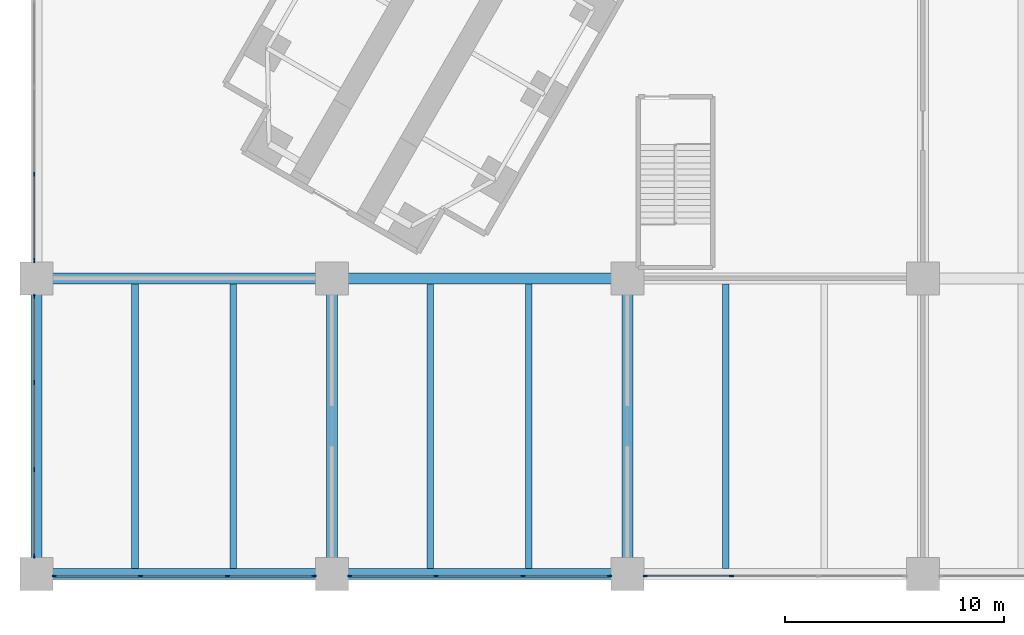
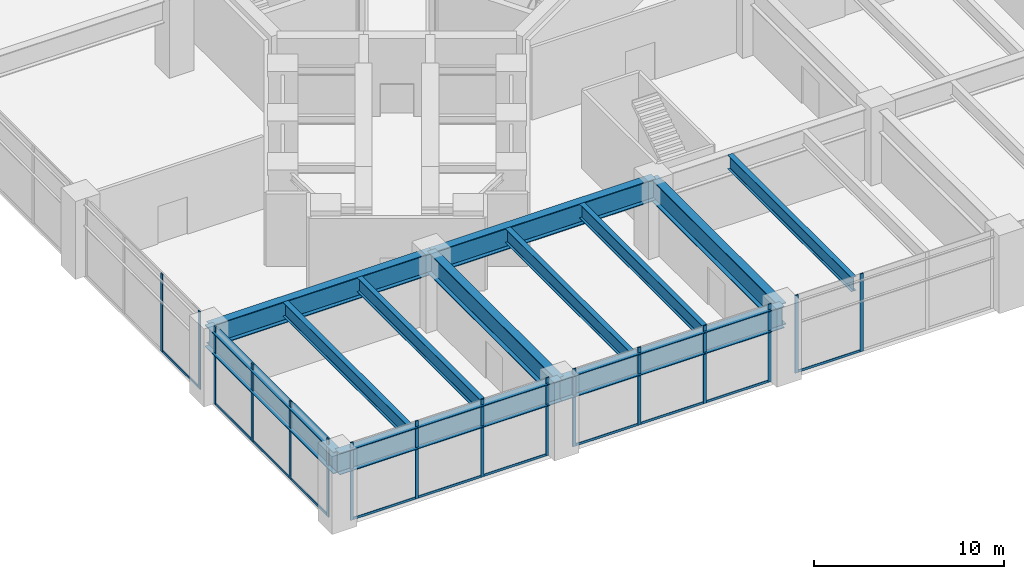
# One storey, part 2 of 31: 27 members, 12 beams, 5 elements without a shape of their own.
"""IFC4 building model written with IfcOpenShell, lengths in metres."""

from ifc_helpers import new_model, si_unit, direction, frame, origin, origin_2d, place, context, subcontext, project, spatial, rectangle, i_section, extrude, material, material_profile, profile_set, type_object, element, aggregate, save


model = new_model("IFC4")

# Units and contexts
model_context = context("Model", 3, precision=1e-05, world=origin(), true_north=direction((0.0, 1.0)))
body_context = subcontext(model_context, "Body", "Model", "MODEL_VIEW")
ifc_project = project(units=[si_unit("LENGTHUNIT", "METRE"), si_unit("AREAUNIT", "SQUARE_METRE"), si_unit("VOLUMEUNIT", "CUBIC_METRE"), si_unit("PLANEANGLEUNIT", "RADIAN"), si_unit("MASSUNIT", "GRAM", prefix="KILO")], contexts=[model_context])

# Site, building, storey
site_placement = place(None, origin())
site = spatial("IfcSite", under=ifc_project, at=site_placement, CompositionType="ELEMENT")
building_placement = place(site_placement, origin())
building = spatial("IfcBuilding", under=site, at=building_placement, Name="Upepo Twin Towers", CompositionType="ELEMENT")
storey_placement = place(building_placement, frame((0.0, 0.0, 15.5)))
storey = spatial("IfcBuildingStorey", under=building, at=storey_placement, Name="L03", CompositionType="ELEMENT", Elevation=15.5)

# Beams
ifc_material_1 = material(Name="Steel S355", Category="steel")
ifc_material_profile_1 = material_profile(ifc_material_1, i_section(OverallWidth=0.5, OverallDepth=1.39990234375, WebThickness=0.02490234375, FlangeThickness=0.050048828125, FilletRadius=0.008056640625, at=origin_2d()), Name="PG 1400x500x25x50")
ifc_profile_set_1 = profile_set([ifc_material_profile_1], Name="Steel S355")
beam_type_1 = type_object("IfcBeamType", Name="Beam PG 1400x500x25x50", PredefinedType="BEAM", material=ifc_profile_set_1)
for number, where, z_axis, x_axis, name in (
    (1, (-27.0, -40.5, 3.949951171875), (1.0, 0.0, 0.0), (0.0, 1.0, 0.0), "Podium girder A/1-2"),
    (2, (-13.5, -40.5, 3.949951171875), (1.0, 0.0, 0.0), (0.0, 1.0, 0.0), "Podium girder A/2-3"),
    (3, (-27.0, -27.0, 3.949951171875), (1.0, 0.0, 0.0), (0.0, 1.0, 0.0), "Podium girder B/1-2"),
    (4, (-13.5, -27.0, 3.949951171875), (1.0, 0.0, 0.0), (0.0, 1.0, 0.0), "Podium girder B/2-3"),
    (5, (-27.0, -40.5, 3.949951171875), (0.0, 1.0, 0.0), (-1.0, 0.0, 0.0), "Podium girder 1/A-B"),
    (6, (-13.5, -40.5, 3.949951171875), (0.0, 1.0, 0.0), (-1.0, 0.0, 0.0), "Podium girder 2/A-B"),
    (7, (0.0, -40.5, 3.949951171875), (0.0, 1.0, 0.0), (-1.0, 0.0, 0.0), "Podium girder 3/A-B"),
):
    element("IfcBeam", number, at=place(storey_placement, frame(where, z_axis=z_axis, x_axis=x_axis)), inside=storey, type_object=beam_type_1, Name=name, PredefinedType="BEAM", context=body_context, shape_type="SweptSolid", body=[
        extrude(i_section(OverallWidth=0.5, OverallDepth=1.39990234375, WebThickness=0.02490234375, FlangeThickness=0.050048828125, FilletRadius=0.008056640625, at=origin_2d()), origin(), (0.0, 0.0, 1.0), 13.5),
    ])

# Curtain wall, members
ifc_material_2 = material(Name="Aluminium and clear glass", Category="aluminium")
curtain_wall_type = type_object("IfcCurtainWallType", Name="Podium curtain wall PW1", PredefinedType="NOTDEFINED", material=ifc_material_2)
curtain_wall_1_placement = place(storey_placement, origin())
curtain_wall_1 = element("IfcCurtainWall", 8, at=curtain_wall_1_placement, inside=storey, type_object=curtain_wall_type, Name="Podium L03 curtain wall S1", PredefinedType="NOTDEFINED")
ifc_material_3 = material(Name="Aluminium mullion", Category="aluminium")
ifc_material_profile_2 = material_profile(ifc_material_3, rectangle(XDim=0.06494140625, YDim=0.199951171875, at=origin_2d()), Name="MULLION 65x200 PODIUM")
ifc_profile_set_2 = profile_set([ifc_material_profile_2], Name="Aluminium mullion")
member_type_1 = type_object("IfcMemberType", Name="Mullion 65x200 PW1", PredefinedType="MULLION", material=ifc_profile_set_2)
member_1_placement = place(storey_placement, frame((-26.1826171875, -40.60009765625, 0.0), z_axis=(0.0, 0.0, 1.0), x_axis=(0.0, 1.0, 0.0)))
member_1 = element("IfcMember", 9, at=member_1_placement, type_object=member_type_1, Name="Podium L03 curtain wall S1 mullion 1", PredefinedType="MULLION", context=body_context, shape_type="SweptSolid", body=[
    extrude(rectangle(XDim=0.06494140625, YDim=0.199951171875, at=origin_2d()), origin(), (0.0, 0.0, 1.0), 5.0),
])
member_2_placement = place(storey_placement, frame((-22.23828125, -40.60009765625, 0.0), z_axis=(0.0, 0.0, 1.0), x_axis=(0.0, 1.0, 0.0)))
member_2 = element("IfcMember", 10, at=member_2_placement, type_object=member_type_1, Name="Podium L03 curtain wall S1 mullion 2", PredefinedType="MULLION", context=body_context, shape_type="SweptSolid", body=[
    extrude(rectangle(XDim=0.06494140625, YDim=0.199951171875, at=origin_2d()), origin(), (0.0, 0.0, 1.0), 5.0),
])
member_3_placement = place(storey_placement, frame((-18.26171875, -40.60009765625, 0.0), z_axis=(0.0, 0.0, 1.0), x_axis=(0.0, 1.0, 0.0)))
member_3 = element("IfcMember", 11, at=member_3_placement, type_object=member_type_1, Name="Podium L03 curtain wall S1 mullion 3", PredefinedType="MULLION", context=body_context, shape_type="SweptSolid", body=[
    extrude(rectangle(XDim=0.06494140625, YDim=0.199951171875, at=origin_2d()), origin(), (0.0, 0.0, 1.0), 5.0),
])
member_4_placement = place(storey_placement, frame((-14.3173828125, -40.60009765625, 0.0), z_axis=(0.0, 0.0, 1.0), x_axis=(0.0, 1.0, 0.0)))
member_4 = element("IfcMember", 12, at=member_4_placement, type_object=member_type_1, Name="Podium L03 curtain wall S1 mullion 4", PredefinedType="MULLION", context=body_context, shape_type="SweptSolid", body=[
    extrude(rectangle(XDim=0.06494140625, YDim=0.199951171875, at=origin_2d()), origin(), (0.0, 0.0, 1.0), 5.0),
])

curtain_wall_2_placement = place(storey_placement, origin())
curtain_wall_2 = element("IfcCurtainWall", 13, at=curtain_wall_2_placement, inside=storey, type_object=curtain_wall_type, Name="Podium L03 curtain wall S2", PredefinedType="NOTDEFINED")
member_5_placement = place(storey_placement, frame((-12.6826171875, -40.60009765625, 0.0), z_axis=(0.0, 0.0, 1.0), x_axis=(0.0, 1.0, 0.0)))
member_5 = element("IfcMember", 14, at=member_5_placement, type_object=member_type_1, Name="Podium L03 curtain wall S2 mullion 1", PredefinedType="MULLION", context=body_context, shape_type="SweptSolid", body=[
    extrude(rectangle(XDim=0.06494140625, YDim=0.199951171875, at=origin_2d()), origin(), (0.0, 0.0, 1.0), 5.0),
])
member_6_placement = place(storey_placement, frame((-8.73828125, -40.60009765625, 0.0), z_axis=(0.0, 0.0, 1.0), x_axis=(0.0, 1.0, 0.0)))
member_6 = element("IfcMember", 15, at=member_6_placement, type_object=member_type_1, Name="Podium L03 curtain wall S2 mullion 2", PredefinedType="MULLION", context=body_context, shape_type="SweptSolid", body=[
    extrude(rectangle(XDim=0.06494140625, YDim=0.199951171875, at=origin_2d()), origin(), (0.0, 0.0, 1.0), 5.0),
])
member_7_placement = place(storey_placement, frame((-4.76171875, -40.60009765625, 0.0), z_axis=(0.0, 0.0, 1.0), x_axis=(0.0, 1.0, 0.0)))
member_7 = element("IfcMember", 16, at=member_7_placement, type_object=member_type_1, Name="Podium L03 curtain wall S2 mullion 3", PredefinedType="MULLION", context=body_context, shape_type="SweptSolid", body=[
    extrude(rectangle(XDim=0.06494140625, YDim=0.199951171875, at=origin_2d()), origin(), (0.0, 0.0, 1.0), 5.0),
])
member_8_placement = place(storey_placement, frame((-0.8173828125, -40.60009765625, 0.0), z_axis=(0.0, 0.0, 1.0), x_axis=(0.0, 1.0, 0.0)))
member_8 = element("IfcMember", 17, at=member_8_placement, type_object=member_type_1, Name="Podium L03 curtain wall S2 mullion 4", PredefinedType="MULLION", context=body_context, shape_type="SweptSolid", body=[
    extrude(rectangle(XDim=0.06494140625, YDim=0.199951171875, at=origin_2d()), origin(), (0.0, 0.0, 1.0), 5.0),
])

curtain_wall_3_placement = place(storey_placement, origin())
curtain_wall_3 = element("IfcCurtainWall", 18, at=curtain_wall_3_placement, inside=storey, type_object=curtain_wall_type, Name="Podium L03 curtain wall S3", PredefinedType="NOTDEFINED")
member_9_placement = place(storey_placement, frame((0.8173828125, -40.60009765625, 0.0), z_axis=(0.0, 0.0, 1.0), x_axis=(0.0, 1.0, 0.0)))
member_9 = element("IfcMember", 19, at=member_9_placement, type_object=member_type_1, Name="Podium L03 curtain wall S3 mullion 1", PredefinedType="MULLION", context=body_context, shape_type="SweptSolid", body=[
    extrude(rectangle(XDim=0.06494140625, YDim=0.199951171875, at=origin_2d()), origin(), (0.0, 0.0, 1.0), 5.0),
])
member_10_placement = place(storey_placement, frame((4.76171875, -40.60009765625, 0.0), z_axis=(0.0, 0.0, 1.0), x_axis=(0.0, 1.0, 0.0)))
member_10 = element("IfcMember", 20, at=member_10_placement, type_object=member_type_1, Name="Podium L03 curtain wall S3 mullion 2", PredefinedType="MULLION", context=body_context, shape_type="SweptSolid", body=[
    extrude(rectangle(XDim=0.06494140625, YDim=0.199951171875, at=origin_2d()), origin(), (0.0, 0.0, 1.0), 5.0),
])

curtain_wall_4_placement = place(storey_placement, origin())
curtain_wall_4 = element("IfcCurtainWall", 21, at=curtain_wall_4_placement, inside=storey, type_object=curtain_wall_type, Name="Podium L03 curtain wall W5", PredefinedType="NOTDEFINED")
member_11_placement = place(storey_placement, frame((-27.10009765625, -22.23828125, 0.0), z_axis=(0.0, 0.0, 1.0), x_axis=(1.0, 0.0, 0.0)))
member_11 = element("IfcMember", 22, at=member_11_placement, type_object=member_type_1, Name="Podium L03 curtain wall W5 mullion 3", PredefinedType="MULLION", context=body_context, shape_type="SweptSolid", body=[
    extrude(rectangle(XDim=0.06494140625, YDim=0.199951171875, at=origin_2d()), origin(), (0.0, 0.0, 1.0), 5.0),
])
member_12_placement = place(storey_placement, frame((-27.10009765625, -26.1826171875, 0.0), z_axis=(0.0, 0.0, 1.0), x_axis=(1.0, 0.0, 0.0)))
member_12 = element("IfcMember", 23, at=member_12_placement, type_object=member_type_1, Name="Podium L03 curtain wall W5 mullion 4", PredefinedType="MULLION", context=body_context, shape_type="SweptSolid", body=[
    extrude(rectangle(XDim=0.06494140625, YDim=0.199951171875, at=origin_2d()), origin(), (0.0, 0.0, 1.0), 5.0),
])

curtain_wall_5_placement = place(storey_placement, origin())
curtain_wall_5 = element("IfcCurtainWall", 24, at=curtain_wall_5_placement, inside=storey, type_object=curtain_wall_type, Name="Podium L03 curtain wall W6", PredefinedType="NOTDEFINED")
member_13_placement = place(storey_placement, frame((-27.10009765625, -27.8173828125, 0.0), z_axis=(0.0, 0.0, 1.0), x_axis=(1.0, 0.0, 0.0)))
member_13 = element("IfcMember", 25, at=member_13_placement, type_object=member_type_1, Name="Podium L03 curtain wall W6 mullion 1", PredefinedType="MULLION", context=body_context, shape_type="SweptSolid", body=[
    extrude(rectangle(XDim=0.06494140625, YDim=0.199951171875, at=origin_2d()), origin(), (0.0, 0.0, 1.0), 5.0),
])
member_14_placement = place(storey_placement, frame((-27.10009765625, -31.76171875, 0.0), z_axis=(0.0, 0.0, 1.0), x_axis=(1.0, 0.0, 0.0)))
member_14 = element("IfcMember", 26, at=member_14_placement, type_object=member_type_1, Name="Podium L03 curtain wall W6 mullion 2", PredefinedType="MULLION", context=body_context, shape_type="SweptSolid", body=[
    extrude(rectangle(XDim=0.06494140625, YDim=0.199951171875, at=origin_2d()), origin(), (0.0, 0.0, 1.0), 5.0),
])
member_15_placement = place(storey_placement, frame((-27.10009765625, -35.73828125, 0.0), z_axis=(0.0, 0.0, 1.0), x_axis=(1.0, 0.0, 0.0)))
member_15 = element("IfcMember", 27, at=member_15_placement, type_object=member_type_1, Name="Podium L03 curtain wall W6 mullion 3", PredefinedType="MULLION", context=body_context, shape_type="SweptSolid", body=[
    extrude(rectangle(XDim=0.06494140625, YDim=0.199951171875, at=origin_2d()), origin(), (0.0, 0.0, 1.0), 5.0),
])
member_16_placement = place(storey_placement, frame((-27.10009765625, -39.6826171875, 0.0), z_axis=(0.0, 0.0, 1.0), x_axis=(1.0, 0.0, 0.0)))
member_16 = element("IfcMember", 28, at=member_16_placement, type_object=member_type_1, Name="Podium L03 curtain wall W6 mullion 4", PredefinedType="MULLION", context=body_context, shape_type="SweptSolid", body=[
    extrude(rectangle(XDim=0.06494140625, YDim=0.199951171875, at=origin_2d()), origin(), (0.0, 0.0, 1.0), 5.0),
])

# Beams
ifc_material_4 = material(Name="Steel S355", Category="steel")
ifc_material_profile_3 = material_profile(ifc_material_4, i_section(OverallWidth=0.305419921875, OverallDepth=0.91845703125, WebThickness=0.017333984375, FlangeThickness=0.02783203125, FilletRadius=0.01904296875, at=origin_2d()), Name="UB 914x305x253")
ifc_profile_set_3 = profile_set([ifc_material_profile_3], Name="Steel S355")
beam_type_2 = type_object("IfcBeamType", Name="Secondary beam UB 914x305x253", PredefinedType="JOIST", material=ifc_profile_set_3)
for number, where, z_axis, x_axis, name in (
    (29, (-22.5, -40.25, 4.19091796875), (0.0, 1.0, 0.0), (-1.0, 0.0, 0.0), "Podium secondary beam A1.1"),
    (30, (-18.0, -40.25, 4.19091796875), (0.0, 1.0, 0.0), (-1.0, 0.0, 0.0), "Podium secondary beam A1.2"),
    (31, (-9.0, -40.25, 4.19091796875), (0.0, 1.0, 0.0), (-1.0, 0.0, 0.0), "Podium secondary beam A2.1"),
    (32, (-4.5, -40.25, 4.19091796875), (0.0, 1.0, 0.0), (-1.0, 0.0, 0.0), "Podium secondary beam A2.2"),
    (33, (4.5, -40.25, 4.19091796875), (0.0, 1.0, 0.0), (-1.0, 0.0, 0.0), "Podium secondary beam A3.1"),
):
    element("IfcBeam", number, at=place(storey_placement, frame(where, z_axis=z_axis, x_axis=x_axis)), inside=storey, type_object=beam_type_2, Name=name, PredefinedType="JOIST", context=body_context, shape_type="SweptSolid", body=[
        extrude(i_section(OverallWidth=0.305419921875, OverallDepth=0.91845703125, WebThickness=0.017333984375, FlangeThickness=0.02783203125, FilletRadius=0.01904296875, at=origin_2d()), origin(), (0.0, 0.0, 1.0), 13.0),
    ])

# Member
ifc_material_5 = material(Name="Aluminium transom", Category="aluminium")
ifc_material_profile_4 = material_profile(ifc_material_5, rectangle(XDim=0.06494140625, YDim=0.14990234375, at=origin_2d()), Name="TRANSOM 65x150 PODIUM")
ifc_profile_set_4 = profile_set([ifc_material_profile_4], Name="Aluminium transom")
member_type_2 = type_object("IfcMemberType", Name="Transom 65x150 PW1", PredefinedType="USERDEFINED", material=ifc_profile_set_4)
member_17_placement = place(storey_placement, frame((-26.14990234375, -40.60009765625, 0.074951171875), z_axis=(1.0, 0.0, 0.0), x_axis=(0.0, 1.0, 0.0)))
member_17 = element("IfcMember", 34, at=member_17_placement, type_object=member_type_2, Name="Podium L03 curtain wall S1 transom 1", ObjectType="TRANSOM", PredefinedType="USERDEFINED", context=body_context, shape_type="SweptSolid", body=[
    extrude(rectangle(XDim=0.06494140625, YDim=0.14990234375, at=origin_2d()), origin(), (0.0, 0.0, 1.0), 3.879150390625),
])

member_18_placement = place(storey_placement, frame((-22.205810546875, -40.60009765625, 0.074951171875), z_axis=(1.0, 0.0, 0.0), x_axis=(0.0, 1.0, 0.0)))
member_18 = element("IfcMember", 35, at=member_18_placement, type_object=member_type_2, Name="Podium L03 curtain wall S1 transom 2", ObjectType="TRANSOM", PredefinedType="USERDEFINED", context=body_context, shape_type="SweptSolid", body=[
    extrude(rectangle(XDim=0.06494140625, YDim=0.14990234375, at=origin_2d()), origin(), (0.0, 0.0, 1.0), 3.91162109375),
])

member_19_placement = place(storey_placement, frame((-18.229248046875, -40.60009765625, 0.074951171875), z_axis=(1.0, 0.0, 0.0), x_axis=(0.0, 1.0, 0.0)))
member_19 = element("IfcMember", 36, at=member_19_placement, type_object=member_type_2, Name="Podium L03 curtain wall S1 transom 3", ObjectType="TRANSOM", PredefinedType="USERDEFINED", context=body_context, shape_type="SweptSolid", body=[
    extrude(rectangle(XDim=0.06494140625, YDim=0.14990234375, at=origin_2d()), origin(), (0.0, 0.0, 1.0), 3.879150390625),
])

aggregate(curtain_wall_1, [member_1, member_2, member_3, member_4, member_17, member_18, member_19])

member_20_placement = place(storey_placement, frame((-12.64990234375, -40.60009765625, 0.074951171875), z_axis=(1.0, 0.0, 0.0), x_axis=(0.0, 1.0, 0.0)))
member_20 = element("IfcMember", 37, at=member_20_placement, type_object=member_type_2, Name="Podium L03 curtain wall S2 transom 1", ObjectType="TRANSOM", PredefinedType="USERDEFINED", context=body_context, shape_type="SweptSolid", body=[
    extrude(rectangle(XDim=0.06494140625, YDim=0.14990234375, at=origin_2d()), origin(), (0.0, 0.0, 1.0), 3.879150390625),
])

member_21_placement = place(storey_placement, frame((-8.705810546875, -40.60009765625, 0.074951171875), z_axis=(1.0, 0.0, 0.0), x_axis=(0.0, 1.0, 0.0)))
member_21 = element("IfcMember", 38, at=member_21_placement, type_object=member_type_2, Name="Podium L03 curtain wall S2 transom 2", ObjectType="TRANSOM", PredefinedType="USERDEFINED", context=body_context, shape_type="SweptSolid", body=[
    extrude(rectangle(XDim=0.06494140625, YDim=0.14990234375, at=origin_2d()), origin(), (0.0, 0.0, 1.0), 3.91162109375),
])

member_22_placement = place(storey_placement, frame((-4.729248046875, -40.60009765625, 0.074951171875), z_axis=(1.0, 0.0, 0.0), x_axis=(0.0, 1.0, 0.0)))
member_22 = element("IfcMember", 39, at=member_22_placement, type_object=member_type_2, Name="Podium L03 curtain wall S2 transom 3", ObjectType="TRANSOM", PredefinedType="USERDEFINED", context=body_context, shape_type="SweptSolid", body=[
    extrude(rectangle(XDim=0.06494140625, YDim=0.14990234375, at=origin_2d()), origin(), (0.0, 0.0, 1.0), 3.879150390625),
])

aggregate(curtain_wall_2, [member_5, member_6, member_7, member_8, member_20, member_21, member_22])

member_23_placement = place(storey_placement, frame((0.85009765625, -40.60009765625, 0.074951171875), z_axis=(1.0, 0.0, 0.0), x_axis=(0.0, 1.0, 0.0)))
member_23 = element("IfcMember", 40, at=member_23_placement, type_object=member_type_2, Name="Podium L03 curtain wall S3 transom 1", ObjectType="TRANSOM", PredefinedType="USERDEFINED", context=body_context, shape_type="SweptSolid", body=[
    extrude(rectangle(XDim=0.06494140625, YDim=0.14990234375, at=origin_2d()), origin(), (0.0, 0.0, 1.0), 3.879150390625),
])

aggregate(curtain_wall_3, [member_9, member_10, member_23])

member_24_placement = place(storey_placement, frame((-27.10009765625, -22.270751953125, 0.074951171875), z_axis=(0.0, -1.0, 0.0), x_axis=(1.0, 0.0, 0.0)))
member_24 = element("IfcMember", 41, at=member_24_placement, type_object=member_type_2, Name="Podium L03 curtain wall W5 transom 3", ObjectType="TRANSOM", PredefinedType="USERDEFINED", context=body_context, shape_type="SweptSolid", body=[
    extrude(rectangle(XDim=0.06494140625, YDim=0.14990234375, at=origin_2d()), origin(), (0.0, 0.0, 1.0), 3.879150390625),
])

aggregate(curtain_wall_4, [member_11, member_12, member_24])

member_25_placement = place(storey_placement, frame((-27.10009765625, -27.85009765625, 0.074951171875), z_axis=(0.0, -1.0, 0.0), x_axis=(1.0, 0.0, 0.0)))
member_25 = element("IfcMember", 42, at=member_25_placement, type_object=member_type_2, Name="Podium L03 curtain wall W6 transom 1", ObjectType="TRANSOM", PredefinedType="USERDEFINED", context=body_context, shape_type="SweptSolid", body=[
    extrude(rectangle(XDim=0.06494140625, YDim=0.14990234375, at=origin_2d()), origin(), (0.0, 0.0, 1.0), 3.879150390625),
])

member_26_placement = place(storey_placement, frame((-27.10009765625, -31.794189453125, 0.074951171875), z_axis=(0.0, -1.0, 0.0), x_axis=(1.0, 0.0, 0.0)))
member_26 = element("IfcMember", 43, at=member_26_placement, type_object=member_type_2, Name="Podium L03 curtain wall W6 transom 2", ObjectType="TRANSOM", PredefinedType="USERDEFINED", context=body_context, shape_type="SweptSolid", body=[
    extrude(rectangle(XDim=0.06494140625, YDim=0.14990234375, at=origin_2d()), origin(), (0.0, 0.0, 1.0), 3.91162109375),
])

member_27_placement = place(storey_placement, frame((-27.10009765625, -35.770751953125, 0.074951171875), z_axis=(0.0, -1.0, 0.0), x_axis=(1.0, 0.0, 0.0)))
member_27 = element("IfcMember", 44, at=member_27_placement, type_object=member_type_2, Name="Podium L03 curtain wall W6 transom 3", ObjectType="TRANSOM", PredefinedType="USERDEFINED", context=body_context, shape_type="SweptSolid", body=[
    extrude(rectangle(XDim=0.06494140625, YDim=0.14990234375, at=origin_2d()), origin(), (0.0, 0.0, 1.0), 3.879150390625),
])

aggregate(curtain_wall_5, [member_13, member_14, member_15, member_16, member_25, member_26, member_27])

save(model, "model.ifc")
